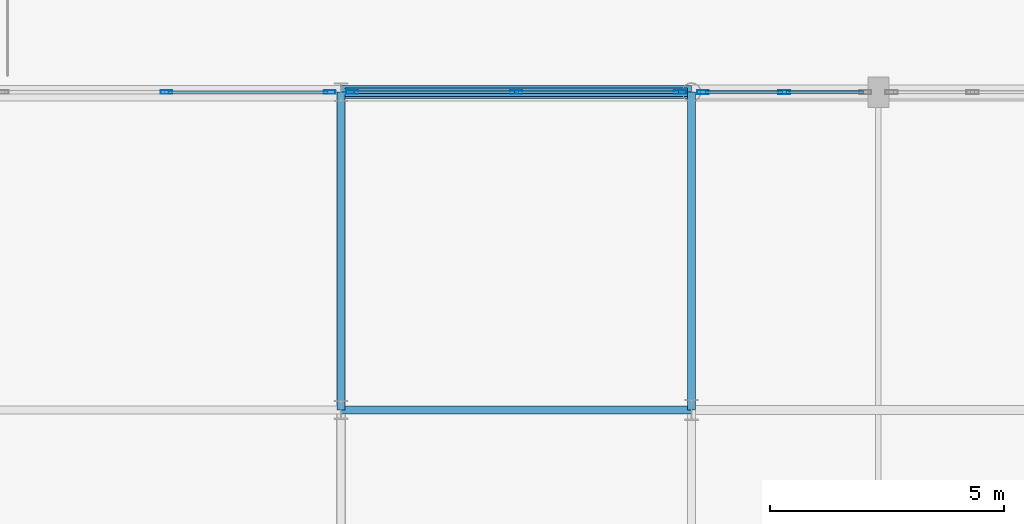
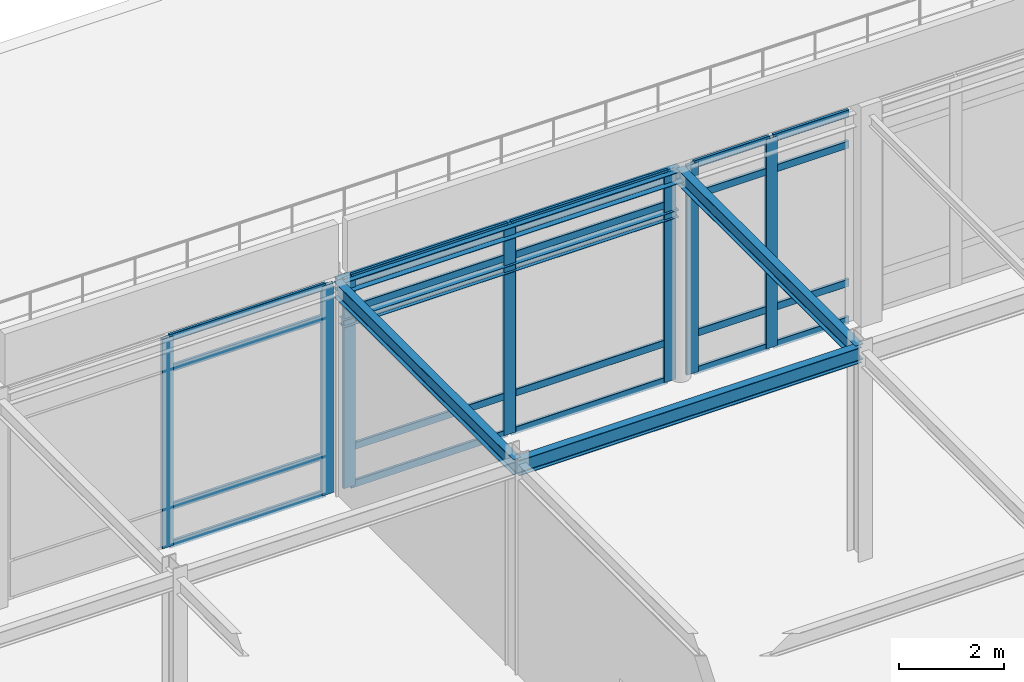
# One storey, part 42 of 113: 27 members, 5 beams, 3 elements without a shape of their own.
"""IFC4 building model written with IfcOpenShell, lengths in metres."""

import ifcopenshell
import ifcopenshell.guid

model = None  # the IFC model being written
_history = None  # IfcOwnerHistory: only IFC2X3 demands one
_inside = {}  # id of a spatial element -> (the spatial element, [elements in it])
_under = {}  # id of a project, library or spatial element -> (it, [spatial elements below it])
_declared = {}  # id of a project -> (the project, [libraries it declares])
_typed = {}  # id of a type object -> (the type object, [elements of that type])
_made_of = {}  # id of a material, layer set ... -> (it, [elements and type objects made of it])


def new_model(schema):
    """Start an empty IFC model of exactly this schema.

    Asked for "IFC4X3", IfcOpenShell would pick the latest addendum, in which some entities
    have other attributes; the version numbers below select the first issue.
    IFC2X3 requires an IfcOwnerHistory on every rooted entity: one is made here for all.
    """
    global model, _history
    if schema == "IFC4X3":
        model = ifcopenshell.file(schema_version=(4, 3, 0, 0))
    else:
        model = ifcopenshell.file(schema=schema)
    _inside.clear()
    _under.clear()
    _declared.clear()
    _typed.clear()
    _made_of.clear()
    _history = None
    if model.schema == "IFC2X3":
        org = make("IfcOrganization", Name="unknown")
        user = make(
            "IfcPersonAndOrganization",
            ThePerson=make("IfcPerson", FamilyName="unknown"),
            TheOrganization=org,
        )
        app = make(
            "IfcApplication",
            ApplicationDeveloper=org,
            Version="unknown",
            ApplicationFullName="unknown",
            ApplicationIdentifier="unknown",
        )
        _history = make(
            "IfcOwnerHistory",
            OwningUser=user,
            OwningApplication=app,
            ChangeAction="ADDED",
            CreationDate=0,
        )
    return model


def make(cls, **values):
    """One entity of the class cls with the attributes given. An attribute that is None is left unset."""
    return model.create_entity(
        cls, **{name: value for name, value in values.items() if value is not None}
    )


def rooted(cls, **values):
    """An entity with a GlobalId (a new one), such as an element, a storey or a relation."""
    return make(cls, GlobalId=ifcopenshell.guid.new(), OwnerHistory=_history, **values)


def si_unit(unit_type, name, prefix=None):
    """IfcSIUnit, for example si_unit("LENGTHUNIT", "METRE", prefix="MILLI")."""
    return make("IfcSIUnit", UnitType=unit_type, Prefix=prefix, Name=name)


def assignment(units):
    """IfcUnitAssignment: the units of a project."""
    return None if units is None else make("IfcUnitAssignment", Units=units)


def point(xyz):
    """IfcCartesianPoint."""
    return None if xyz is None else make("IfcCartesianPoint", Coordinates=xyz)


def direction(xyz):
    """IfcDirection."""
    return None if xyz is None else make("IfcDirection", DirectionRatios=xyz)


def frame(location, z_axis=None, x_axis=None):
    """IfcAxis2Placement3D, a coordinate frame: its origin and axes. An axis left out is left unset."""
    return make(
        "IfcAxis2Placement3D",
        Location=point(location),
        Axis=direction(z_axis),
        RefDirection=direction(x_axis),
    )


def frame_2d(location, x_axis=None):
    """IfcAxis2Placement2D, a coordinate frame in the plane: its origin and x axis."""
    return make(
        "IfcAxis2Placement2D", Location=point(location), RefDirection=direction(x_axis)
    )


def origin():
    """The frame at (0, 0, 0) with its axes left unset."""
    return frame((0.0, 0.0, 0.0))


def origin_2d():
    """The frame at (0, 0) in the plane with its x axis left unset."""
    return frame_2d((0.0, 0.0))


def place(relative_to, where):
    """IfcLocalPlacement: puts the frame where relative to a parent placement (None: the world)."""
    return make(
        "IfcLocalPlacement", PlacementRelTo=relative_to, RelativePlacement=where
    )


def context(
    kind, dimensions, precision=None, world=None, true_north=None, identifier=None
):
    """IfcGeometricRepresentationContext, for example the 3D "Model" context."""
    return make(
        "IfcGeometricRepresentationContext",
        ContextIdentifier=identifier,
        ContextType=kind,
        CoordinateSpaceDimension=dimensions,
        Precision=precision,
        WorldCoordinateSystem=world,
        TrueNorth=true_north,
    )


def subcontext(parent, identifier, kind, view, scale=None):
    """IfcGeometricRepresentationSubContext, for example "Body" below "Model"."""
    return make(
        "IfcGeometricRepresentationSubContext",
        ContextIdentifier=identifier,
        ContextType=kind,
        ParentContext=parent,
        TargetScale=scale,
        TargetView=view,
    )


def project(units=None, contexts=None):
    """IfcProject with its units and contexts."""
    return rooted(
        "IfcProject",
        Name="project",
        RepresentationContexts=contexts,
        UnitsInContext=assignment(units),
    )


def spatial(cls, under=None, at=None, **own):
    """A site, building, storey or space (cls), placed at a placement, below another one or the project."""
    s = rooted(cls, ObjectPlacement=at, **own)
    if under is not None:
        _under.setdefault(under.id(), (under, []))[1].append(s)
    return s


def profile(cls, at=None, kind="AREA", **sizes):
    """A parametric profile (cls). Its sizes go by their IFC names, for example OverallWidth=200.0."""
    return make(cls, ProfileType=kind, Position=at, **sizes)


def hollow_rectangle(**sizes):
    """IfcRectangleHollowProfileDef."""
    return profile("IfcRectangleHollowProfileDef", **sizes)


def i_section(**sizes):
    """IfcIShapeProfileDef."""
    return profile("IfcIShapeProfileDef", **sizes)


def extrude(swept, where, along, depth):
    """IfcExtrudedAreaSolid: the profile swept, set in the frame where, extruded along a direction by depth."""
    return make(
        "IfcExtrudedAreaSolid",
        SweptArea=swept,
        Position=where,
        ExtrudedDirection=direction(along),
        Depth=depth,
    )


def shape(context_of_items, identifier, shape_type, items):
    """IfcShapeRepresentation: the items that make up one representation, for example the "Body"."""
    return make(
        "IfcShapeRepresentation",
        ContextOfItems=context_of_items,
        RepresentationIdentifier=identifier,
        RepresentationType=shape_type,
        Items=items,
    )


def material(Name=None, Category=None):
    """IfcMaterial."""
    return make("IfcMaterial", Name=Name, Category=Category)


def layer(
    of_material, thickness, ventilated=None, Name=None, Category=None, Priority=None
):
    """IfcMaterialLayer: one layer of a wall or slab, of a material (None: an air gap)."""
    return make(
        "IfcMaterialLayer",
        Material=of_material,
        LayerThickness=thickness,
        IsVentilated=ventilated,
        Name=Name,
        Category=Category,
        Priority=Priority,
    )


def layer_set(layers, Name=None):
    """IfcMaterialLayerSet."""
    return make("IfcMaterialLayerSet", MaterialLayers=layers, LayerSetName=Name)


def material_profile(
    of_material, cross_section, Name=None, Category=None, Priority=None
):
    """IfcMaterialProfile: a cross section and its material."""
    return make(
        "IfcMaterialProfile",
        Name=Name,
        Material=of_material,
        Profile=cross_section,
        Priority=Priority,
        Category=Category,
    )


def profile_set(profiles, Name=None, composite=None):
    """IfcMaterialProfileSet."""
    return make(
        "IfcMaterialProfileSet",
        Name=Name,
        MaterialProfiles=profiles,
        CompositeProfile=composite,
    )


def made_of(thing, what):
    """Note that an element or type object is made of a material, layer set ...; save() writes the relation."""
    if what is not None:
        _made_of.setdefault(what.id(), (what, []))[1].append(thing)
    return thing


def type_object(cls, material=None, **own):
    """A type object (cls), such as IfcWallType, which elements share."""
    return made_of(rooted(cls, **own), material)


def element(
    cls,
    number,
    at=None,
    inside=None,
    cuts=None,
    type_object=None,
    material=None,
    context=None,
    identifier="Body",
    shape_type=None,
    held_by="IfcProductDefinitionShape",
    body=None,
    shapes=None,
    **own,
):
    """One element of the class cls, such as IfcWall. Its Tag is "e" and its number.

    at: its placement. inside: the storey or other place that contains it. cuts: it is an
    opening in that element (IfcRelVoidsElement). A single representation is given by context,
    identifier, shape_type and body (its items); several are given by shapes. held_by: the class
    of the entity that holds the representations. save() writes the other relations.
    """
    e = rooted(cls, Tag="e%d" % number, ObjectPlacement=at, **own)
    if body is not None:
        shapes = [shape(context, identifier, shape_type, body)]
    if shapes is not None:
        e.Representation = make(held_by, Representations=shapes)
    if inside is not None:
        _inside.setdefault(inside.id(), (inside, []))[1].append(e)
    if cuts is not None:
        rooted(
            "IfcRelVoidsElement", RelatingBuildingElement=cuts, RelatedOpeningElement=e
        )
    if type_object is not None:
        _typed.setdefault(type_object.id(), (type_object, []))[1].append(e)
    return made_of(e, material)


def aggregate(whole, parts):
    """IfcRelAggregates: a whole, such as a stair, and the parts it consists of."""
    return rooted("IfcRelAggregates", RelatingObject=whole, RelatedObjects=parts)


def save(model, path):
    """Write the relations noted so far, then the file.

    IfcRelAggregates (storeys below a building ...), IfcRelContainedInSpatialStructure (elements
    in a storey), IfcRelDefinesByType, IfcRelAssociatesMaterial and IfcRelDeclares: one each for
    every whole, place, type object, material and project.
    """
    for whole, parts in _under.values():
        aggregate(whole, parts)
    for where, things in _inside.values():
        rooted(
            "IfcRelContainedInSpatialStructure",
            RelatedElements=things,
            RelatingStructure=where,
        )
    for kind, things in _typed.values():
        rooted("IfcRelDefinesByType", RelatedObjects=things, RelatingType=kind)
    for what, things in _made_of.values():
        rooted("IfcRelAssociatesMaterial", RelatedObjects=things, RelatingMaterial=what)
    for by, libraries in _declared.values():
        rooted("IfcRelDeclares", RelatingContext=by, RelatedDefinitions=libraries)
    model.write(path)


model = new_model("IFC4")

# Units and contexts
model_context = context("Model", 3, precision=1e-05, world=origin(), true_north=direction((0.0, 1.0)))
body_context = subcontext(model_context, "Body", "Model", "MODEL_VIEW")
ifc_project = project(units=[si_unit("LENGTHUNIT", "METRE"), si_unit("AREAUNIT", "SQUARE_METRE"), si_unit("VOLUMEUNIT", "CUBIC_METRE"), si_unit("PLANEANGLEUNIT", "RADIAN"), si_unit("MASSUNIT", "GRAM", prefix="KILO")], contexts=[model_context])

# Site, building, storey
site_placement = place(None, origin())
site = spatial("IfcSite", under=ifc_project, at=site_placement, CompositionType="ELEMENT")
building_placement = place(site_placement, origin())
building = spatial("IfcBuilding", under=site, at=building_placement, Name="Shalkamar Park Central Library", CompositionType="ELEMENT")
storey_placement = place(building_placement, frame((0.0, 0.0, 5.39990234375)))
storey = spatial("IfcBuildingStorey", under=building, at=storey_placement, Name="L02", CompositionType="ELEMENT", Elevation=5.39990234375)

# Curtain wall, members
ifc_material_1 = material(Name="Thermally broken aluminium and triple low-e curtain wall", Category="aluminium")
ifc_layer_1 = layer(ifc_material_1, 0.25)
ifc_layer_set_1 = layer_set([ifc_layer_1], Name="UnitisedCurtainWall_22")
curtain_wall_type_1 = type_object("IfcCurtainWallType", Name="Unitised Curtain Wall 22", PredefinedType="USERDEFINED", material=ifc_layer_set_1)
curtain_wall_1_placement = place(storey_placement, origin())
curtain_wall_1 = element("IfcCurtainWall", 1, at=curtain_wall_1_placement, inside=storey, type_object=curtain_wall_type_1, Name="Unitised Curtain Wall CW-L02-024", ObjectType="UNITISED CURTAIN WALL", PredefinedType="USERDEFINED")
ifc_material_2 = material(Name="Aluminium 6060-T66", Category="aluminium")
ifc_material_profile_1 = material_profile(ifc_material_2, hollow_rectangle(XDim=0.074951171875, YDim=0.25, WallThickness=0.00390625, InnerFilletRadius=0.00390625, OuterFilletRadius=0.006103515625, at=origin_2d()), Name="ALU 75x250x4")
ifc_profile_set_1 = profile_set([ifc_material_profile_1], Name="Aluminium 6060-T66")
member_type_1 = type_object("IfcMemberType", Name="Curtain Wall Mullion ALU75x250", PredefinedType="MULLION", material=ifc_profile_set_1)
member_1_placement = place(storey_placement, frame((153.762451171875, 338.0, 0.0), z_axis=(0.0, 0.0, 1.0), x_axis=(0.0, 1.0, 0.0)))
member_1 = element("IfcMember", 2, at=member_1_placement, type_object=member_type_1, Name="CW-22 mullion 2", PredefinedType="MULLION", context=body_context, shape_type="SweptSolid", body=[
    extrude(hollow_rectangle(XDim=0.074951171875, YDim=0.25, WallThickness=0.00390625, InnerFilletRadius=0.00390625, OuterFilletRadius=0.006103515625, at=origin_2d()), origin(), (0.0, 0.0, 1.0), 4.85009765625),
])
member_2_placement = place(storey_placement, frame((157.258544921875, 338.0, 0.0), z_axis=(0.0, 0.0, 1.0), x_axis=(0.0, 1.0, 0.0)))
member_2 = element("IfcMember", 3, at=member_2_placement, type_object=member_type_1, Name="CW-22 mullion 3", PredefinedType="MULLION", context=body_context, shape_type="SweptSolid", body=[
    extrude(hollow_rectangle(XDim=0.074951171875, YDim=0.25, WallThickness=0.00390625, InnerFilletRadius=0.00390625, OuterFilletRadius=0.006103515625, at=origin_2d()), origin(), (0.0, 0.0, 1.0), 4.85009765625),
])

ifc_layer_2 = layer(ifc_material_1, 0.260009765625)
ifc_layer_set_2 = layer_set([ifc_layer_2], Name="UnitisedCurtainWall_23")
curtain_wall_type_2 = type_object("IfcCurtainWallType", Name="Unitised Curtain Wall 23", PredefinedType="USERDEFINED", material=ifc_layer_set_2)
curtain_wall_2_placement = place(storey_placement, origin())
curtain_wall_2 = element("IfcCurtainWall", 4, at=curtain_wall_2_placement, inside=storey, type_object=curtain_wall_type_2, Name="Unitised Curtain Wall CW-L02-025", ObjectType="UNITISED CURTAIN WALL", PredefinedType="USERDEFINED")
ifc_material_profile_2 = material_profile(ifc_material_2, hollow_rectangle(XDim=0.074951171875, YDim=0.260009765625, WallThickness=0.00439453125, InnerFilletRadius=0.00439453125, OuterFilletRadius=0.0068359375, at=origin_2d()), Name="ALU 75x260x4.5")
ifc_profile_set_2 = profile_set([ifc_material_profile_2], Name="Aluminium 6060-T66")
member_type_2 = type_object("IfcMemberType", Name="Curtain Wall Mullion ALU75x260", PredefinedType="MULLION", material=ifc_profile_set_2)
member_3_placement = place(storey_placement, frame((157.741455078125, 338.0, 0.0), z_axis=(0.0, 0.0, 1.0), x_axis=(0.0, 1.0, 0.0)))
member_3 = element("IfcMember", 5, at=member_3_placement, type_object=member_type_2, Name="CW-23 mullion 1", PredefinedType="MULLION", context=body_context, shape_type="SweptSolid", body=[
    extrude(hollow_rectangle(XDim=0.074951171875, YDim=0.260009765625, WallThickness=0.00439453125, InnerFilletRadius=0.00439453125, OuterFilletRadius=0.0068359375, at=origin_2d()), origin(), (0.0, 0.0, 1.0), 4.85009765625),
])
member_4_placement = place(storey_placement, frame((161.248291015625, 338.0, 0.0), z_axis=(0.0, 0.0, 1.0), x_axis=(0.0, 1.0, 0.0)))
member_4 = element("IfcMember", 6, at=member_4_placement, type_object=member_type_2, Name="CW-23 mullion 2", PredefinedType="MULLION", context=body_context, shape_type="SweptSolid", body=[
    extrude(hollow_rectangle(XDim=0.074951171875, YDim=0.260009765625, WallThickness=0.00439453125, InnerFilletRadius=0.00439453125, OuterFilletRadius=0.0068359375, at=origin_2d()), origin(), (0.0, 0.0, 1.0), 4.85009765625),
])
member_5_placement = place(storey_placement, frame((164.75537109375, 338.0, 0.0), z_axis=(0.0, 0.0, 1.0), x_axis=(0.0, 1.0, 0.0)))
member_5 = element("IfcMember", 7, at=member_5_placement, type_object=member_type_2, Name="CW-23 mullion 3", PredefinedType="MULLION", context=body_context, shape_type="SweptSolid", body=[
    extrude(hollow_rectangle(XDim=0.074951171875, YDim=0.260009765625, WallThickness=0.00439453125, InnerFilletRadius=0.00439453125, OuterFilletRadius=0.0068359375, at=origin_2d()), origin(), (0.0, 0.0, 1.0), 4.85009765625),
])

ifc_layer_3 = layer(ifc_material_1, 0.2548828125)
ifc_layer_set_3 = layer_set([ifc_layer_3], Name="UnitisedCurtainWall_24")
curtain_wall_type_3 = type_object("IfcCurtainWallType", Name="Unitised Curtain Wall 24", PredefinedType="USERDEFINED", material=ifc_layer_set_3)
curtain_wall_3_placement = place(storey_placement, origin())
curtain_wall_3 = element("IfcCurtainWall", 8, at=curtain_wall_3_placement, inside=storey, type_object=curtain_wall_type_3, Name="Unitised Curtain Wall CW-L02-026", ObjectType="UNITISED CURTAIN WALL", PredefinedType="USERDEFINED")
ifc_material_profile_3 = material_profile(ifc_material_2, hollow_rectangle(XDim=0.080078125, YDim=0.2548828125, WallThickness=0.00439453125, InnerFilletRadius=0.00439453125, OuterFilletRadius=0.0068359375, at=origin_2d()), Name="ALU 80x255x4.5")
ifc_profile_set_3 = profile_set([ifc_material_profile_3], Name="Aluminium 6060-T66")
member_type_3 = type_object("IfcMemberType", Name="Curtain Wall Mullion ALU80x255", PredefinedType="MULLION", material=ifc_profile_set_3)
member_6_placement = place(storey_placement, frame((165.247314453125, 338.0, 0.0), z_axis=(0.0, 0.0, 1.0), x_axis=(0.0, 1.0, 0.0)))
member_6 = element("IfcMember", 9, at=member_6_placement, type_object=member_type_3, Name="CW-24 mullion 1", PredefinedType="MULLION", context=body_context, shape_type="SweptSolid", body=[
    extrude(hollow_rectangle(XDim=0.080078125, YDim=0.2548828125, WallThickness=0.00439453125, InnerFilletRadius=0.00439453125, OuterFilletRadius=0.0068359375, at=origin_2d()), origin(), (0.0, 0.0, 1.0), 4.85009765625),
])
member_7_placement = place(storey_placement, frame((166.983642578125, 338.0, 0.0), z_axis=(0.0, 0.0, 1.0), x_axis=(0.0, 1.0, 0.0)))
member_7 = element("IfcMember", 10, at=member_7_placement, type_object=member_type_3, Name="CW-24 mullion 2", PredefinedType="MULLION", context=body_context, shape_type="SweptSolid", body=[
    extrude(hollow_rectangle(XDim=0.080078125, YDim=0.2548828125, WallThickness=0.00439453125, InnerFilletRadius=0.00439453125, OuterFilletRadius=0.0068359375, at=origin_2d()), origin(), (0.0, 0.0, 1.0), 4.85009765625),
])

# Member
ifc_material_profile_4 = material_profile(ifc_material_2, hollow_rectangle(XDim=0.06005859375, YDim=0.159912109375, WallThickness=0.00390625, InnerFilletRadius=0.00390625, OuterFilletRadius=0.006103515625, at=origin_2d()), Name="ALU 60x160x4")
ifc_profile_set_4 = profile_set([ifc_material_profile_4], Name="Aluminium 6060-T66")
member_type_4 = type_object("IfcMemberType", Name="Curtain Wall Transom ALU60x160", PredefinedType="USERDEFINED", material=ifc_profile_set_4)
member_8_placement = place(storey_placement, frame((153.800048828125, 338.0, 0.030029296875), z_axis=(1.0, 0.0, 0.0), x_axis=(0.0, 1.0, 0.0)))
member_8 = element("IfcMember", 11, at=member_8_placement, type_object=member_type_4, Name="CW-22 transom 2.1", ObjectType="TRANSOM", PredefinedType="USERDEFINED", context=body_context, shape_type="SweptSolid", body=[
    extrude(hollow_rectangle(XDim=0.06005859375, YDim=0.159912109375, WallThickness=0.00390625, InnerFilletRadius=0.00390625, OuterFilletRadius=0.006103515625, at=origin_2d()), origin(), (0.0, 0.0, 1.0), 3.4208984375),
])

member_9_placement = place(storey_placement, frame((153.800048828125, 338.0, 0.900146484375), z_axis=(1.0, 0.0, 0.0), x_axis=(0.0, 1.0, 0.0)))
member_9 = element("IfcMember", 12, at=member_9_placement, type_object=member_type_4, Name="CW-22 transom 2.2", ObjectType="TRANSOM", PredefinedType="USERDEFINED", context=body_context, shape_type="SweptSolid", body=[
    extrude(hollow_rectangle(XDim=0.06005859375, YDim=0.159912109375, WallThickness=0.00390625, InnerFilletRadius=0.00390625, OuterFilletRadius=0.006103515625, at=origin_2d()), origin(), (0.0, 0.0, 1.0), 3.4208984375),
])

member_10_placement = place(storey_placement, frame((153.800048828125, 338.0, 4.10009765625), z_axis=(1.0, 0.0, 0.0), x_axis=(0.0, 1.0, 0.0)))
member_10 = element("IfcMember", 13, at=member_10_placement, type_object=member_type_4, Name="CW-22 transom 2.3", ObjectType="TRANSOM", PredefinedType="USERDEFINED", context=body_context, shape_type="SweptSolid", body=[
    extrude(hollow_rectangle(XDim=0.06005859375, YDim=0.159912109375, WallThickness=0.00390625, InnerFilletRadius=0.00390625, OuterFilletRadius=0.006103515625, at=origin_2d()), origin(), (0.0, 0.0, 1.0), 3.4208984375),
])

member_11_placement = place(storey_placement, frame((153.800048828125, 338.0, 4.820068359375), z_axis=(1.0, 0.0, 0.0), x_axis=(0.0, 1.0, 0.0)))
member_11 = element("IfcMember", 14, at=member_11_placement, type_object=member_type_4, Name="CW-22 transom 2.4", ObjectType="TRANSOM", PredefinedType="USERDEFINED", context=body_context, shape_type="SweptSolid", body=[
    extrude(hollow_rectangle(XDim=0.06005859375, YDim=0.159912109375, WallThickness=0.00390625, InnerFilletRadius=0.00390625, OuterFilletRadius=0.006103515625, at=origin_2d()), origin(), (0.0, 0.0, 1.0), 3.4208984375),
])

aggregate(curtain_wall_1, [member_1, member_2, member_8, member_9, member_10, member_11])

ifc_material_profile_5 = material_profile(ifc_material_2, hollow_rectangle(XDim=0.06005859375, YDim=0.1650390625, WallThickness=0.00390625, InnerFilletRadius=0.00390625, OuterFilletRadius=0.006103515625, at=origin_2d()), Name="ALU 60x165x4")
ifc_profile_set_5 = profile_set([ifc_material_profile_5], Name="Aluminium 6060-T66")
member_type_5 = type_object("IfcMemberType", Name="Curtain Wall Transom ALU60x165", PredefinedType="USERDEFINED", material=ifc_profile_set_5)
member_12_placement = place(storey_placement, frame((157.779052734375, 338.0, 0.030029296875), z_axis=(1.0, 0.0, 0.0), x_axis=(0.0, 1.0, 0.0)))
member_12 = element("IfcMember", 15, at=member_12_placement, type_object=member_type_5, Name="CW-23 transom 1.1", ObjectType="TRANSOM", PredefinedType="USERDEFINED", context=body_context, shape_type="SweptSolid", body=[
    extrude(hollow_rectangle(XDim=0.06005859375, YDim=0.1650390625, WallThickness=0.00390625, InnerFilletRadius=0.00390625, OuterFilletRadius=0.006103515625, at=origin_2d()), origin(), (0.0, 0.0, 1.0), 3.431884765625),
])

member_13_placement = place(storey_placement, frame((157.779052734375, 338.0, 0.900146484375), z_axis=(1.0, 0.0, 0.0), x_axis=(0.0, 1.0, 0.0)))
member_13 = element("IfcMember", 16, at=member_13_placement, type_object=member_type_5, Name="CW-23 transom 1.2", ObjectType="TRANSOM", PredefinedType="USERDEFINED", context=body_context, shape_type="SweptSolid", body=[
    extrude(hollow_rectangle(XDim=0.06005859375, YDim=0.1650390625, WallThickness=0.00390625, InnerFilletRadius=0.00390625, OuterFilletRadius=0.006103515625, at=origin_2d()), origin(), (0.0, 0.0, 1.0), 3.431884765625),
])

member_14_placement = place(storey_placement, frame((157.779052734375, 338.0, 4.10009765625), z_axis=(1.0, 0.0, 0.0), x_axis=(0.0, 1.0, 0.0)))
member_14 = element("IfcMember", 17, at=member_14_placement, type_object=member_type_5, Name="CW-23 transom 1.3", ObjectType="TRANSOM", PredefinedType="USERDEFINED", context=body_context, shape_type="SweptSolid", body=[
    extrude(hollow_rectangle(XDim=0.06005859375, YDim=0.1650390625, WallThickness=0.00390625, InnerFilletRadius=0.00390625, OuterFilletRadius=0.006103515625, at=origin_2d()), origin(), (0.0, 0.0, 1.0), 3.431884765625),
])

member_15_placement = place(storey_placement, frame((157.779052734375, 338.0, 4.820068359375), z_axis=(1.0, 0.0, 0.0), x_axis=(0.0, 1.0, 0.0)))
member_15 = element("IfcMember", 18, at=member_15_placement, type_object=member_type_5, Name="CW-23 transom 1.4", ObjectType="TRANSOM", PredefinedType="USERDEFINED", context=body_context, shape_type="SweptSolid", body=[
    extrude(hollow_rectangle(XDim=0.06005859375, YDim=0.1650390625, WallThickness=0.00390625, InnerFilletRadius=0.00390625, OuterFilletRadius=0.006103515625, at=origin_2d()), origin(), (0.0, 0.0, 1.0), 3.431884765625),
])

member_16_placement = place(storey_placement, frame((161.285888671875, 338.0, 0.030029296875), z_axis=(1.0, 0.0, 0.0), x_axis=(0.0, 1.0, 0.0)))
member_16 = element("IfcMember", 19, at=member_16_placement, type_object=member_type_5, Name="CW-23 transom 2.1", ObjectType="TRANSOM", PredefinedType="USERDEFINED", context=body_context, shape_type="SweptSolid", body=[
    extrude(hollow_rectangle(XDim=0.06005859375, YDim=0.1650390625, WallThickness=0.00390625, InnerFilletRadius=0.00390625, OuterFilletRadius=0.006103515625, at=origin_2d()), origin(), (0.0, 0.0, 1.0), 3.431884765625),
])

member_17_placement = place(storey_placement, frame((161.285888671875, 338.0, 0.900146484375), z_axis=(1.0, 0.0, 0.0), x_axis=(0.0, 1.0, 0.0)))
member_17 = element("IfcMember", 20, at=member_17_placement, type_object=member_type_5, Name="CW-23 transom 2.2", ObjectType="TRANSOM", PredefinedType="USERDEFINED", context=body_context, shape_type="SweptSolid", body=[
    extrude(hollow_rectangle(XDim=0.06005859375, YDim=0.1650390625, WallThickness=0.00390625, InnerFilletRadius=0.00390625, OuterFilletRadius=0.006103515625, at=origin_2d()), origin(), (0.0, 0.0, 1.0), 3.431884765625),
])

member_18_placement = place(storey_placement, frame((161.285888671875, 338.0, 4.10009765625), z_axis=(1.0, 0.0, 0.0), x_axis=(0.0, 1.0, 0.0)))
member_18 = element("IfcMember", 21, at=member_18_placement, type_object=member_type_5, Name="CW-23 transom 2.3", ObjectType="TRANSOM", PredefinedType="USERDEFINED", context=body_context, shape_type="SweptSolid", body=[
    extrude(hollow_rectangle(XDim=0.06005859375, YDim=0.1650390625, WallThickness=0.00390625, InnerFilletRadius=0.00390625, OuterFilletRadius=0.006103515625, at=origin_2d()), origin(), (0.0, 0.0, 1.0), 3.431884765625),
])

member_19_placement = place(storey_placement, frame((161.285888671875, 338.0, 4.820068359375), z_axis=(1.0, 0.0, 0.0), x_axis=(0.0, 1.0, 0.0)))
member_19 = element("IfcMember", 22, at=member_19_placement, type_object=member_type_5, Name="CW-23 transom 2.4", ObjectType="TRANSOM", PredefinedType="USERDEFINED", context=body_context, shape_type="SweptSolid", body=[
    extrude(hollow_rectangle(XDim=0.06005859375, YDim=0.1650390625, WallThickness=0.00390625, InnerFilletRadius=0.00390625, OuterFilletRadius=0.006103515625, at=origin_2d()), origin(), (0.0, 0.0, 1.0), 3.431884765625),
])

aggregate(curtain_wall_2, [member_3, member_4, member_5, member_12, member_13, member_14, member_15, member_16, member_17, member_18, member_19])

ifc_material_profile_6 = material_profile(ifc_material_2, hollow_rectangle(XDim=0.06494140625, YDim=0.169921875, WallThickness=0.00390625, InnerFilletRadius=0.00390625, OuterFilletRadius=0.006103515625, at=origin_2d()), Name="ALU 65x170x4")
ifc_profile_set_6 = profile_set([ifc_material_profile_6], Name="Aluminium 6060-T66")
member_type_6 = type_object("IfcMemberType", Name="Curtain Wall Transom ALU65x170", PredefinedType="USERDEFINED", material=ifc_profile_set_6)
member_20_placement = place(storey_placement, frame((165.287109375, 338.0, 0.03271484375), z_axis=(1.0, 0.0, 0.0), x_axis=(0.0, 1.0, 0.0)))
member_20 = element("IfcMember", 23, at=member_20_placement, type_object=member_type_6, Name="CW-24 transom 1.1", ObjectType="TRANSOM", PredefinedType="USERDEFINED", context=body_context, shape_type="SweptSolid", body=[
    extrude(hollow_rectangle(XDim=0.06494140625, YDim=0.169921875, WallThickness=0.00390625, InnerFilletRadius=0.00390625, OuterFilletRadius=0.006103515625, at=origin_2d()), origin(), (0.0, 0.0, 1.0), 1.656494140625),
])

member_21_placement = place(storey_placement, frame((165.287109375, 338.0, 0.900146484375), z_axis=(1.0, 0.0, 0.0), x_axis=(0.0, 1.0, 0.0)))
member_21 = element("IfcMember", 24, at=member_21_placement, type_object=member_type_6, Name="CW-24 transom 1.2", ObjectType="TRANSOM", PredefinedType="USERDEFINED", context=body_context, shape_type="SweptSolid", body=[
    extrude(hollow_rectangle(XDim=0.06494140625, YDim=0.169921875, WallThickness=0.00390625, InnerFilletRadius=0.00390625, OuterFilletRadius=0.006103515625, at=origin_2d()), origin(), (0.0, 0.0, 1.0), 1.656494140625),
])

member_22_placement = place(storey_placement, frame((165.287109375, 338.0, 4.10009765625), z_axis=(1.0, 0.0, 0.0), x_axis=(0.0, 1.0, 0.0)))
member_22 = element("IfcMember", 25, at=member_22_placement, type_object=member_type_6, Name="CW-24 transom 1.3", ObjectType="TRANSOM", PredefinedType="USERDEFINED", context=body_context, shape_type="SweptSolid", body=[
    extrude(hollow_rectangle(XDim=0.06494140625, YDim=0.169921875, WallThickness=0.00390625, InnerFilletRadius=0.00390625, OuterFilletRadius=0.006103515625, at=origin_2d()), origin(), (0.0, 0.0, 1.0), 1.656494140625),
])

member_23_placement = place(storey_placement, frame((165.287109375, 338.0, 4.817626953125), z_axis=(1.0, 0.0, 0.0), x_axis=(0.0, 1.0, 0.0)))
member_23 = element("IfcMember", 26, at=member_23_placement, type_object=member_type_6, Name="CW-24 transom 1.4", ObjectType="TRANSOM", PredefinedType="USERDEFINED", context=body_context, shape_type="SweptSolid", body=[
    extrude(hollow_rectangle(XDim=0.06494140625, YDim=0.169921875, WallThickness=0.00390625, InnerFilletRadius=0.00390625, OuterFilletRadius=0.006103515625, at=origin_2d()), origin(), (0.0, 0.0, 1.0), 1.656494140625),
])

member_24_placement = place(storey_placement, frame((167.023681640625, 338.0, 0.03271484375), z_axis=(1.0, 0.0, 0.0), x_axis=(0.0, 1.0, 0.0)))
member_24 = element("IfcMember", 27, at=member_24_placement, type_object=member_type_6, Name="CW-24 transom 2.1", ObjectType="TRANSOM", PredefinedType="USERDEFINED", context=body_context, shape_type="SweptSolid", body=[
    extrude(hollow_rectangle(XDim=0.06494140625, YDim=0.169921875, WallThickness=0.00390625, InnerFilletRadius=0.00390625, OuterFilletRadius=0.006103515625, at=origin_2d()), origin(), (0.0, 0.0, 1.0), 1.65625),
])

member_25_placement = place(storey_placement, frame((167.023681640625, 338.0, 0.900146484375), z_axis=(1.0, 0.0, 0.0), x_axis=(0.0, 1.0, 0.0)))
member_25 = element("IfcMember", 28, at=member_25_placement, type_object=member_type_6, Name="CW-24 transom 2.2", ObjectType="TRANSOM", PredefinedType="USERDEFINED", context=body_context, shape_type="SweptSolid", body=[
    extrude(hollow_rectangle(XDim=0.06494140625, YDim=0.169921875, WallThickness=0.00390625, InnerFilletRadius=0.00390625, OuterFilletRadius=0.006103515625, at=origin_2d()), origin(), (0.0, 0.0, 1.0), 1.65625),
])

member_26_placement = place(storey_placement, frame((167.023681640625, 338.0, 4.10009765625), z_axis=(1.0, 0.0, 0.0), x_axis=(0.0, 1.0, 0.0)))
member_26 = element("IfcMember", 29, at=member_26_placement, type_object=member_type_6, Name="CW-24 transom 2.3", ObjectType="TRANSOM", PredefinedType="USERDEFINED", context=body_context, shape_type="SweptSolid", body=[
    extrude(hollow_rectangle(XDim=0.06494140625, YDim=0.169921875, WallThickness=0.00390625, InnerFilletRadius=0.00390625, OuterFilletRadius=0.006103515625, at=origin_2d()), origin(), (0.0, 0.0, 1.0), 1.65625),
])

member_27_placement = place(storey_placement, frame((167.023681640625, 338.0, 4.817626953125), z_axis=(1.0, 0.0, 0.0), x_axis=(0.0, 1.0, 0.0)))
member_27 = element("IfcMember", 30, at=member_27_placement, type_object=member_type_6, Name="CW-24 transom 2.4", ObjectType="TRANSOM", PredefinedType="USERDEFINED", context=body_context, shape_type="SweptSolid", body=[
    extrude(hollow_rectangle(XDim=0.06494140625, YDim=0.169921875, WallThickness=0.00390625, InnerFilletRadius=0.00390625, OuterFilletRadius=0.006103515625, at=origin_2d()), origin(), (0.0, 0.0, 1.0), 1.65625),
])

aggregate(curtain_wall_3, [member_6, member_7, member_20, member_21, member_22, member_23, member_24, member_25, member_26, member_27])

# Beams
ifc_material_3 = material(Name="Steel S355", Category="steel")
ifc_material_profile_7 = material_profile(ifc_material_3, i_section(OverallWidth=0.179931640625, OverallDepth=0.1708984375, WebThickness=0.006103515625, FlangeThickness=0.009521484375, FilletRadius=0.014892578125, at=origin_2d()), Name="HEA 180")
ifc_profile_set_7 = profile_set([ifc_material_profile_7], Name="Steel S355")
beam_type_1 = type_object("IfcBeamType", Name="Opening Lintel Beam HEA180", PredefinedType="LINTEL", material=ifc_profile_set_7)
beam_1_placement = place(storey_placement, frame((157.580078125, 338.0, 3.85009765625), z_axis=(1.0, 0.0, 0.0), x_axis=(0.0, 1.0, 0.0)))
element("IfcBeam", 31, at=beam_1_placement, inside=storey, type_object=beam_type_1, Name="Opening Lintel L02-26", PredefinedType="LINTEL", context=body_context, shape_type="SweptSolid", body=[
    extrude(i_section(OverallWidth=0.179931640625, OverallDepth=0.1708984375, WebThickness=0.006103515625, FlangeThickness=0.009521484375, FilletRadius=0.014892578125, at=origin_2d()), origin(), (0.0, 0.0, 1.0), 7.33984375),
])
ifc_material_profile_8 = material_profile(ifc_material_3, i_section(OverallWidth=0.280029296875, OverallDepth=0.27001953125, WebThickness=0.008056640625, FlangeThickness=0.012939453125, FilletRadius=0.02392578125, at=origin_2d()), Name="HEA 280")
ifc_profile_set_8 = profile_set([ifc_material_profile_8], Name="Steel S355")
beam_type_2 = type_object("IfcBeamType", Name="Perimeter Spandrel Beam HEA280", PredefinedType="SPANDREL", material=ifc_profile_set_8)
beam_2_placement = place(storey_placement, frame((157.5, 338.0, 4.715087890625), z_axis=(1.0, 0.0, 0.0), x_axis=(0.0, 1.0, 0.0)))
element("IfcBeam", 32, at=beam_2_placement, inside=storey, type_object=beam_type_2, Name="Beam P:06-07 (L02)", PredefinedType="SPANDREL", context=body_context, shape_type="SweptSolid", body=[
    extrude(i_section(OverallWidth=0.280029296875, OverallDepth=0.27001953125, WebThickness=0.008056640625, FlangeThickness=0.012939453125, FilletRadius=0.02392578125, at=origin_2d()), origin(), (0.0, 0.0, 1.0), 7.5),
])
ifc_material_profile_9 = material_profile(ifc_material_3, i_section(OverallWidth=0.169921875, OverallDepth=0.360107421875, WebThickness=0.008056640625, FlangeThickness=0.0126953125, FilletRadius=0.01806640625, at=origin_2d()), Name="IPE 360")
ifc_profile_set_9 = profile_set([ifc_material_profile_9], Name="Steel S355")
beam_type_3 = type_object("IfcBeamType", Name="Primary Girder IPE360", PredefinedType="BEAM", material=ifc_profile_set_9)
beam_3_placement = place(storey_placement, frame((157.5, 331.199951171875, 4.670166015625), z_axis=(1.0, 0.0, 0.0), x_axis=(0.0, 1.0, 0.0)))
element("IfcBeam", 33, at=beam_3_placement, inside=storey, type_object=beam_type_3, Name="Beam N:06-07 (L02)", PredefinedType="BEAM", context=body_context, shape_type="SweptSolid", body=[
    extrude(i_section(OverallWidth=0.169921875, OverallDepth=0.360107421875, WebThickness=0.008056640625, FlangeThickness=0.0126953125, FilletRadius=0.01806640625, at=origin_2d()), origin(), (0.0, 0.0, 1.0), 7.5),
])
for number, where, z_axis, x_axis, name in (
    (34, (157.5, 331.199951171875, 4.670166015625), (0.0, 1.0, 0.0), (-1.0, 0.0, 0.0), "Beam 06:N-P (L02)"),
    (35, (165.0, 331.199951171875, 4.670166015625), (0.0, 1.0, 0.0), (-1.0, 0.0, 0.0), "Beam 07:N-P (L02)"),
):
    element("IfcBeam", number, at=place(storey_placement, frame(where, z_axis=z_axis, x_axis=x_axis)), inside=storey, type_object=beam_type_3, Name=name, PredefinedType="BEAM", context=body_context, shape_type="SweptSolid", body=[
        extrude(i_section(OverallWidth=0.169921875, OverallDepth=0.360107421875, WebThickness=0.008056640625, FlangeThickness=0.0126953125, FilletRadius=0.01806640625, at=origin_2d()), origin(), (0.0, 0.0, 1.0), 6.800048828125),
    ])

save(model, "model.ifc")
